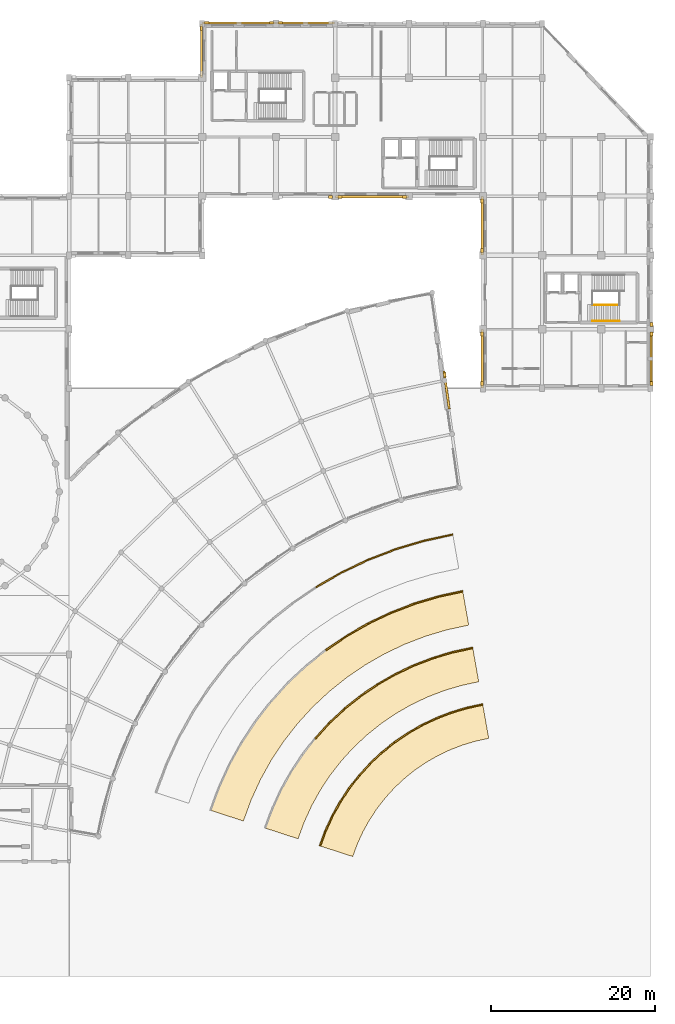
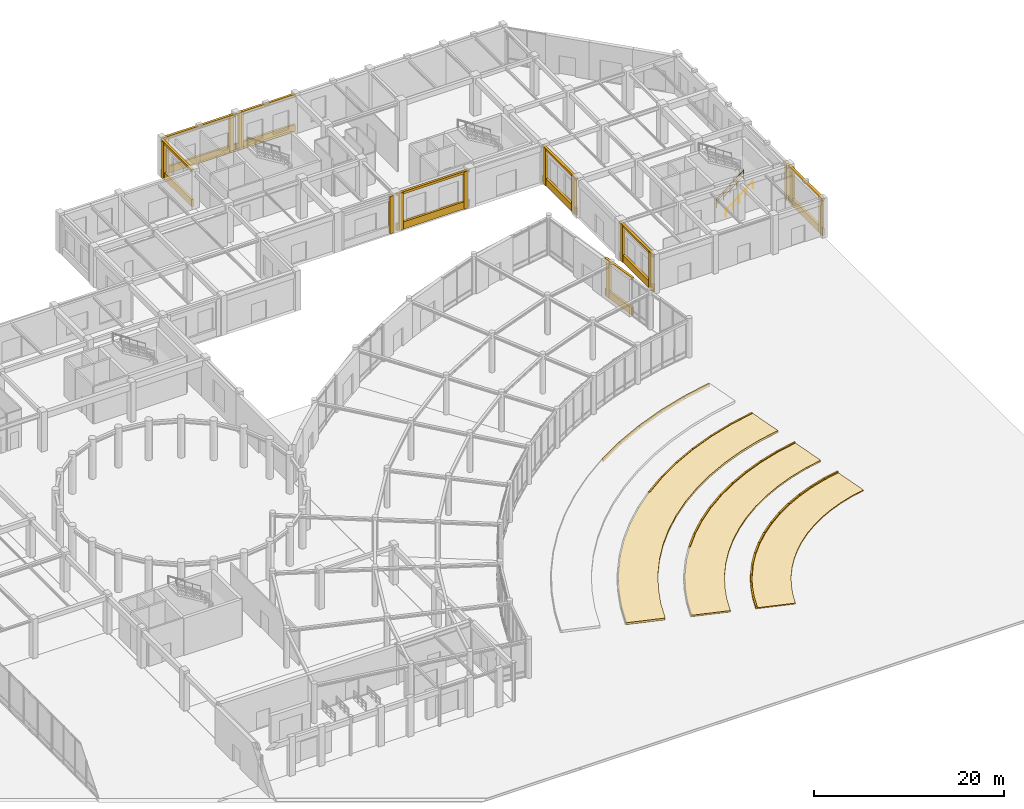
# One storey, part 63 of 64: 68 coverings, 2 railings.
"""IFC4 building model written with IfcOpenShell, lengths in metres."""

from ifc_helpers import new_model, si_unit, direction, frame, frame_2d, origin, origin_2d, place, context, subcontext, project, spatial, polyline, rectangle, circle, outline, extrude, material, layer, layer_set, type_object, element, save


model = new_model("IFC4")

# Units and contexts
model_context = context("Model", 3, precision=1e-05, world=origin(), true_north=direction((0.0, 1.0)))
body_context = subcontext(model_context, "Body", "Model", "MODEL_VIEW")
ifc_project = project(units=[si_unit("LENGTHUNIT", "METRE"), si_unit("AREAUNIT", "SQUARE_METRE"), si_unit("VOLUMEUNIT", "CUBIC_METRE"), si_unit("PLANEANGLEUNIT", "RADIAN"), si_unit("MASSUNIT", "GRAM", prefix="KILO")], contexts=[model_context])

# Site, building, storey
site_placement = place(None, origin())
site = spatial("IfcSite", under=ifc_project, at=site_placement, CompositionType="ELEMENT")
building_placement = place(site_placement, origin())
building = spatial("IfcBuilding", under=site, at=building_placement, Name="Clarverna Civic Hall", CompositionType="ELEMENT")
storey_placement = place(building_placement, origin())
storey = spatial("IfcBuildingStorey", under=building, at=storey_placement, Name="L00", CompositionType="ELEMENT", Elevation=0.0)

# Coverings
ifc_material_1 = material(Name="Thermally Modified Teak Wood Slat Fascia Cladding", Category="wood")
ifc_layer_1 = layer(ifc_material_1, 0.080078125)
ifc_layer_set_1 = layer_set([ifc_layer_1], Name="Thermally Modified Teak Wood Slat Fascia Cladding")
covering_type_1 = type_object("IfcCoveringType", Name="CV-CL1", PredefinedType="CLADDING", material=ifc_layer_set_1)
covering_1_placement = place(storey_placement, frame((143.92529296875, 53.793701171875, 0.02001953125), z_axis=(0.0, 0.0, 1.0), x_axis=(-0.97734469617, -0.211653832631, 0.0)))
element("IfcCovering", 1, at=covering_1_placement, inside=storey, type_object=covering_type_1, Name="CV-CL1-001", PredefinedType="CLADDING", context=body_context, shape_type="SweptSolid", body=[
    extrude(rectangle(XDim=3.593017578125, YDim=0.179931640625, at=frame_2d((1.79638671875, 0.0))), origin(), (0.0, 0.0, 1.0), 0.320068359375),
])
covering_2_placement = place(storey_placement, frame((140.41357421875, 53.033203125, 0.02001953125), z_axis=(0.0, 0.0, 1.0), x_axis=(-0.958117505742, -0.286375357162, 0.0)))
element("IfcCovering", 2, at=covering_2_placement, inside=storey, type_object=covering_type_1, Name="CV-CL1-002", PredefinedType="CLADDING", context=body_context, shape_type="SweptSolid", body=[
    extrude(rectangle(XDim=3.59326171875, YDim=0.179931640625, at=frame_2d((1.796630859375, 0.0))), origin(), (0.0, 0.0, 1.0), 0.320068359375),
])
covering_3_placement = place(storey_placement, frame((136.970703125, 52.004150390625, 0.02001953125), z_axis=(0.0, 0.0, 1.0), x_axis=(-0.933138803603, -0.359516304512, 0.0)))
element("IfcCovering", 3, at=covering_3_placement, inside=storey, type_object=covering_type_1, Name="CV-CL1-003", PredefinedType="CLADDING", context=body_context, shape_type="SweptSolid", body=[
    extrude(rectangle(XDim=3.593017578125, YDim=0.179931640625, at=frame_2d((1.79638671875, 0.0))), origin(), (0.0, 0.0, 1.0), 0.320068359375),
])
covering_4_placement = place(storey_placement, frame((133.617919921875, 50.71240234375, 0.02001953125), z_axis=(0.0, 0.0, 1.0), x_axis=(-0.902575251053, -0.430532131421, 0.0)))
element("IfcCovering", 4, at=covering_4_placement, inside=storey, type_object=covering_type_1, Name="CV-CL1-004", PredefinedType="CLADDING", context=body_context, shape_type="SweptSolid", body=[
    extrude(rectangle(XDim=3.593505859375, YDim=0.179931640625, at=frame_2d((1.796875, 0.0))), origin(), (0.0, 0.0, 1.0), 0.320068359375),
])
covering_5_placement = place(storey_placement, frame((130.37451171875, 49.165283203125, 0.02001953125), z_axis=(0.0, 0.0, 1.0), x_axis=(-0.866674982798, -0.498873204524, 0.0)))
element("IfcCovering", 5, at=covering_5_placement, inside=storey, type_object=covering_type_1, Name="CV-CL1-005", PredefinedType="CLADDING", context=body_context, shape_type="SweptSolid", body=[
    extrude(rectangle(XDim=3.593017578125, YDim=0.179931640625, at=frame_2d((1.79638671875, 0.0))), origin(), (0.0, 0.0, 1.0), 0.320068359375),
])
covering_6_placement = place(storey_placement, frame((145.140869140625, 46.89990234375, 0.02001953125), z_axis=(0.0, 0.0, 1.0), x_axis=(-0.977363678099, -0.211566161598, 0.0)))
element("IfcCovering", 6, at=covering_6_placement, inside=storey, type_object=covering_type_1, Name="CV-CL1-015", PredefinedType="CLADDING", context=body_context, shape_type="SweptSolid", body=[
    extrude(rectangle(XDim=3.05224609375, YDim=0.179931640625, at=frame_2d((1.526123046875, 0.0))), origin(), (0.0, 0.0, 1.0), 0.320068359375),
])
covering_7_placement = place(storey_placement, frame((142.15771484375, 46.254150390625, 0.02001953125), z_axis=(0.0, 0.0, 1.0), x_axis=(-0.958105402291, -0.286415848201, 0.0)))
element("IfcCovering", 7, at=covering_7_placement, inside=storey, type_object=covering_type_1, Name="CV-CL1-016", PredefinedType="CLADDING", context=body_context, shape_type="SweptSolid", body=[
    extrude(rectangle(XDim=3.052490234375, YDim=0.179931640625, at=frame_2d((1.5263671875, 0.0))), origin(), (0.0, 0.0, 1.0), 0.320068359375),
])
covering_8_placement = place(storey_placement, frame((139.233154296875, 45.3798828125, 0.02001953125), z_axis=(0.0, 0.0, 1.0), x_axis=(-0.933128976712, -0.359541809559, 0.0)))
element("IfcCovering", 8, at=covering_8_placement, inside=storey, type_object=covering_type_1, Name="CV-CL1-017", PredefinedType="CLADDING", context=body_context, shape_type="SweptSolid", body=[
    extrude(rectangle(XDim=3.05224609375, YDim=0.179931640625, at=frame_2d((1.526123046875, 0.0))), origin(), (0.0, 0.0, 1.0), 0.320068359375),
])
covering_9_placement = place(storey_placement, frame((136.385009765625, 44.282470703125, 0.02001953125), z_axis=(0.0, 0.0, 1.0), x_axis=(-0.902606071729, -0.430467512454, 0.0)))
element("IfcCovering", 9, at=covering_9_placement, inside=storey, type_object=covering_type_1, Name="CV-CL1-018", PredefinedType="CLADDING", context=body_context, shape_type="SweptSolid", body=[
    extrude(rectangle(XDim=3.052490234375, YDim=0.179931640625, at=frame_2d((1.5263671875, 0.0))), origin(), (0.0, 0.0, 1.0), 0.320068359375),
])
for number, where, z_axis, x_axis, name in (
    (10, (133.6298828125, 42.968505859375, 0.02001953125), (0.0, 0.0, 1.0), (-0.866633985469, -0.498944420983, 0.0), "CV-CL1-019"),
    (11, (130.984619140625, 41.445556640625, 0.02001953125), (0.0, 0.0, 1.0), (-0.825521047687, -0.564371331506, 0.0), "CV-CL1-020"),
):
    element("IfcCovering", number, at=place(storey_placement, frame(where, z_axis=z_axis, x_axis=x_axis)), inside=storey, type_object=covering_type_1, Name=name, PredefinedType="CLADDING", context=body_context, shape_type="SweptSolid", body=[
        extrude(rectangle(XDim=3.05224609375, YDim=0.179931640625, at=frame_2d((1.526123046875, 0.0))), origin(), (0.0, 0.0, 1.0), 0.320068359375),
    ])
for number, where, z_axis, x_axis, name in (
    (12, (146.3564453125, 40.00634765625, 0.02001953125), (0.0, 0.0, 1.0), (-0.977350626083, -0.211626448477, 0.0), "CV-CL1-029"),
    (13, (143.90185546875, 39.474853515625, 0.02001953125), (0.0, 0.0, 1.0), (-0.95811475934, -0.286384545558, 0.0), "CV-CL1-030"),
    (14, (141.49560546875, 38.755615234375, 0.02001953125), (0.0, 0.0, 1.0), (-0.933147530652, -0.359493652292, 0.0), "CV-CL1-031"),
):
    element("IfcCovering", number, at=place(storey_placement, frame(where, z_axis=z_axis, x_axis=x_axis)), inside=storey, type_object=covering_type_1, Name=name, PredefinedType="CLADDING", context=body_context, shape_type="SweptSolid", body=[
        extrude(rectangle(XDim=2.511474609375, YDim=0.179931640625, at=frame_2d((1.255859375, 0.0))), origin(), (0.0, 0.0, 1.0), 0.320068359375),
    ])
covering_10_placement = place(storey_placement, frame((139.152099609375, 37.852783203125, 0.02001953125), z_axis=(0.0, 0.0, 1.0), x_axis=(-0.902556604797, -0.430571219587, 0.0)))
element("IfcCovering", 15, at=covering_10_placement, inside=storey, type_object=covering_type_1, Name="CV-CL1-032", PredefinedType="CLADDING", context=body_context, shape_type="SweptSolid", body=[
    extrude(rectangle(XDim=2.51123046875, YDim=0.179931640625, at=frame_2d((1.255615234375, 0.0))), origin(), (0.0, 0.0, 1.0), 0.320068359375),
])
for number, where, z_axis, x_axis, name in (
    (16, (136.885498046875, 36.771484375, 0.02001953125), (0.0, 0.0, 1.0), (-0.866659395674, -0.498900282512, 0.0), "CV-CL1-033"),
    (17, (134.708984375, 35.5185546875, 0.02001953125), (0.0, 0.0, 1.0), (-0.825548022081, -0.564331873314, 0.0), "CV-CL1-034"),
    (18, (132.6357421875, 34.101318359375, 0.02001953125), (0.0, 0.0, 1.0), (-0.779501306611, -0.626400601047, 0.0), "CV-CL1-035"),
):
    element("IfcCovering", number, at=place(storey_placement, frame(where, z_axis=z_axis, x_axis=x_axis)), inside=storey, type_object=covering_type_1, Name=name, PredefinedType="CLADDING", context=body_context, shape_type="SweptSolid", body=[
        extrude(rectangle(XDim=2.511474609375, YDim=0.179931640625, at=frame_2d((1.255859375, 0.0))), origin(), (0.0, 0.0, 1.0), 0.320068359375),
    ])
covering_11_placement = place(storey_placement, frame((130.677978515625, 32.528076171875, 0.02001953125), z_axis=(0.0, 0.0, 1.0), x_axis=(-0.728736334326, -0.684794388873, 0.0)))
element("IfcCovering", 19, at=covering_11_placement, inside=storey, type_object=covering_type_1, Name="CV-CL1-036", PredefinedType="CLADDING", context=body_context, shape_type="SweptSolid", body=[
    extrude(rectangle(XDim=2.51123046875, YDim=0.179931640625, at=frame_2d((1.255615234375, 0.0))), origin(), (0.0, 0.0, 1.0), 0.320068359375),
])
covering_12_placement = place(storey_placement, frame((128.847900390625, 30.808349609375, 0.02001953125), z_axis=(0.0, 0.0, 1.0), x_axis=(-0.673789766808, -0.738923101645, 0.0)))
element("IfcCovering", 20, at=covering_12_placement, inside=storey, type_object=covering_type_1, Name="CV-CL1-037", PredefinedType="CLADDING", context=body_context, shape_type="SweptSolid", body=[
    extrude(rectangle(XDim=2.511474609375, YDim=0.179931640625, at=frame_2d((1.255859375, 0.0))), origin(), (0.0, 0.0, 1.0), 0.320068359375),
])
covering_13_placement = place(storey_placement, frame((147.572021484375, 33.112548828125, 0.02001953125), z_axis=(0.0, 0.0, 1.0), x_axis=(-0.977381646354, -0.211483137321, 0.0)))
element("IfcCovering", 21, at=covering_13_placement, inside=storey, type_object=covering_type_1, Name="CV-CL1-043", PredefinedType="CLADDING", context=body_context, shape_type="SweptSolid", body=[
    extrude(rectangle(XDim=1.970703125, YDim=0.179931640625, at=frame_2d((0.9853515625, 0.0))), origin(), (0.0, 0.0, 1.0), 0.320068359375),
])
covering_14_placement = place(storey_placement, frame((145.64599609375, 32.69580078125, 0.02001953125), z_axis=(0.0, 0.0, 1.0), x_axis=(-0.958085086962, -0.286483797343, 0.0)))
element("IfcCovering", 22, at=covering_14_placement, inside=storey, type_object=covering_type_1, Name="CV-CL1-044", PredefinedType="CLADDING", context=body_context, shape_type="SweptSolid", body=[
    extrude(rectangle(XDim=1.97021484375, YDim=0.179931640625, at=frame_2d((0.985107421875, 0.0))), origin(), (0.0, 0.0, 1.0), 0.320068359375),
])
covering_15_placement = place(storey_placement, frame((143.75830078125, 32.13134765625, 0.02001953125), z_axis=(0.0, 0.0, 1.0), x_axis=(-0.93313470573, -0.359526940524, 0.0)))
element("IfcCovering", 23, at=covering_15_placement, inside=storey, type_object=covering_type_1, Name="CV-CL1-045", PredefinedType="CLADDING", context=body_context, shape_type="SweptSolid", body=[
    extrude(rectangle(XDim=1.970703125, YDim=0.179931640625, at=frame_2d((0.9853515625, 0.0))), origin(), (0.0, 0.0, 1.0), 0.320068359375),
])
for number, where, z_axis, x_axis, name in (
    (24, (141.91943359375, 31.4228515625, 0.02001953125), (0.0, 0.0, 1.0), (-0.902622196303, -0.430433700749, 0.0), "CV-CL1-046"),
    (25, (140.140869140625, 30.57470703125, 0.02001953125), (0.0, 0.0, 1.0), (-0.86664518429, -0.498924968854, 0.0), "CV-CL1-047"),
    (26, (138.43310546875, 29.591552734375, 0.02001953125), (0.0, 0.0, 1.0), (-0.82553208228, -0.564355190573, 0.0), "CV-CL1-048"),
    (27, (136.806396484375, 28.4794921875, 0.02001953125), (0.0, 0.0, 1.0), (-0.779464639421, -0.626446227454, 0.0), "CV-CL1-049"),
    (28, (135.2705078125, 27.2451171875, 0.02001953125), (0.0, 0.0, 1.0), (-0.728756261629, -0.684773182255, 0.0), "CV-CL1-050"),
    (29, (133.83447265625, 25.895751953125, 0.02001953125), (0.0, 0.0, 1.0), (-0.673769776697, -0.738941329206, 0.0), "CV-CL1-051"),
    (30, (132.5068359375, 24.439697265625, 0.02001953125), (0.0, 0.0, 1.0), (-0.614686621089, -0.788771423071, 0.0), "CV-CL1-052"),
):
    element("IfcCovering", number, at=place(storey_placement, frame(where, z_axis=z_axis, x_axis=x_axis)), inside=storey, type_object=covering_type_1, Name=name, PredefinedType="CLADDING", context=body_context, shape_type="SweptSolid", body=[
        extrude(rectangle(XDim=1.970458984375, YDim=0.179931640625, at=frame_2d((0.9853515625, 0.0))), origin(), (0.0, 0.0, 1.0), 0.320068359375),
    ])
covering_16_placement = place(storey_placement, frame((131.295654296875, 22.885498046875, 0.02001953125), z_axis=(0.0, 0.0, 1.0), x_axis=(-0.551923915539, -0.833894472614, 0.0)))
element("IfcCovering", 31, at=covering_16_placement, inside=storey, type_object=covering_type_1, Name="CV-CL1-053", PredefinedType="CLADDING", context=body_context, shape_type="SweptSolid", body=[
    extrude(rectangle(XDim=1.970703125, YDim=0.179931640625, at=frame_2d((0.9853515625, 0.0))), origin(), (0.0, 0.0, 1.0), 0.320068359375),
])
for number, where, z_axis, x_axis, name in (
    (32, (130.2080078125, 21.2421875, 0.02001953125), (0.0, 0.0, 1.0), (-0.485937459331, -0.873993584427, 0.0), "CV-CL1-054"),
    (33, (129.25048828125, 19.52001953125, 0.02001953125), (0.0, 0.0, 1.0), (-0.416927736654, -0.908939636284, 0.0), "CV-CL1-055"),
    (34, (128.428955078125, 17.72900390625, 0.02001953125), (0.0, 0.0, 1.0), (-0.345550331049, -0.938400217771, 0.0), "CV-CL1-056"),
):
    element("IfcCovering", number, at=place(storey_placement, frame(where, z_axis=z_axis, x_axis=x_axis)), inside=storey, type_object=covering_type_1, Name=name, PredefinedType="CLADDING", context=body_context, shape_type="SweptSolid", body=[
        extrude(rectangle(XDim=1.970458984375, YDim=0.179931640625, at=frame_2d((0.9853515625, 0.0))), origin(), (0.0, 0.0, 1.0), 0.320068359375),
    ])
ifc_material_2 = material(Name="Montjuic Buff Limestone Ashlar Cladding", Category="masonry")
ifc_layer_2 = layer(ifc_material_2, 0.070068359375)
ifc_layer_set_2 = layer_set([ifc_layer_2], Name="Montjuic Buff Limestone Ashlar Cladding")
covering_type_2 = type_object("IfcCoveringType", Name="CV-CL2", PredefinedType="CLADDING", material=ifc_layer_set_2)
covering_17_placement = place(storey_placement, frame((113.320068359375, 109.4599609375, 4.5), z_axis=(0.0, 0.0, 1.0), x_axis=(0.0, 1.0, 0.0)))
element("IfcCovering", 35, at=covering_17_placement, inside=storey, type_object=covering_type_2, Name="CV-CL2-069", PredefinedType="CLADDING", context=body_context, shape_type="SweptSolid", body=[
    extrude(rectangle(XDim=6.47998046875, YDim=0.280029296875, at=frame_2d((3.239990234375, 0.0))), origin(), (0.0, 0.0, 1.0), 0.300048828125),
])
covering_18_placement = place(storey_placement, frame((113.320068359375, 109.4599609375, 0.0), z_axis=(0.0, 0.0, 1.0), x_axis=(0.0, 1.0, 0.0)))
element("IfcCovering", 36, at=covering_18_placement, inside=storey, type_object=covering_type_2, Name="CV-CL2-070", PredefinedType="CLADDING", context=body_context, shape_type="SweptSolid", body=[
    extrude(rectangle(XDim=6.47998046875, YDim=0.260009765625, at=frame_2d((3.239990234375, 0.0))), origin(), (0.0, 0.0, 1.0), 0.919921875),
])
covering_19_placement = place(storey_placement, frame((113.2900390625, 115.179931640625, 0.0), z_axis=(0.0, 0.0, 1.0), x_axis=(0.0, 1.0, 0.0)))
element("IfcCovering", 37, at=covering_19_placement, inside=storey, type_object=covering_type_2, Name="CV-CL2-072", PredefinedType="CLADDING", context=body_context, shape_type="SweptSolid", body=[
    extrude(rectangle(XDim=0.5, YDim=0.340087890625, at=frame_2d((0.25, 0.0))), origin(), (0.0, 0.0, 1.0), 4.780029296875),
])
covering_20_placement = place(storey_placement, frame((113.4599609375, 116.080078125, 4.5), z_axis=(0.0, 0.0, 1.0), x_axis=(1.0, 0.0, 0.0)))
element("IfcCovering", 38, at=covering_20_placement, inside=storey, type_object=covering_type_2, Name="CV-CL2-073", PredefinedType="CLADDING", context=body_context, shape_type="SweptSolid", body=[
    extrude(rectangle(XDim=8.880126953125, YDim=0.280029296875, at=frame_2d((4.43994140625, 0.0))), origin(), (0.0, 0.0, 1.0), 0.300048828125),
])
covering_21_placement = place(storey_placement, frame((113.4599609375, 116.080078125, 0.0), z_axis=(0.0, 0.0, 1.0), x_axis=(1.0, 0.0, 0.0)))
element("IfcCovering", 39, at=covering_21_placement, inside=storey, type_object=covering_type_2, Name="CV-CL2-074", PredefinedType="CLADDING", context=body_context, shape_type="SweptSolid", body=[
    extrude(rectangle(XDim=8.880126953125, YDim=0.260009765625, at=frame_2d((4.43994140625, 0.0))), origin(), (0.0, 0.0, 1.0), 0.919921875),
])
for number, where, z_axis, x_axis, name in (
    (40, (113.719970703125, 116.110107421875, 0.0), (0.0, 0.0, 1.0), (1.0, 0.0, 0.0), "CV-CL2-075"),
    (41, (121.580078125, 116.110107421875, 0.0), (0.0, 0.0, 1.0), (1.0, 0.0, 0.0), "CV-CL2-076"),
):
    element("IfcCovering", number, at=place(storey_placement, frame(where, z_axis=z_axis, x_axis=x_axis)), inside=storey, type_object=covering_type_2, Name=name, PredefinedType="CLADDING", context=body_context, shape_type="SweptSolid", body=[
        extrude(rectangle(XDim=0.5, YDim=0.340087890625, at=frame_2d((0.25, 0.0))), origin(), (0.0, 0.0, 1.0), 4.780029296875),
    ])
covering_22_placement = place(storey_placement, frame((122.4599609375, 116.080078125, 4.5), z_axis=(0.0, 0.0, 1.0), x_axis=(1.0, 0.0, 0.0)))
element("IfcCovering", 42, at=covering_22_placement, inside=storey, type_object=covering_type_2, Name="CV-CL2-077", PredefinedType="CLADDING", context=body_context, shape_type="SweptSolid", body=[
    extrude(rectangle(XDim=7.080078125, YDim=0.280029296875, at=frame_2d((3.5400390625, 0.0))), origin(), (0.0, 0.0, 1.0), 0.300048828125),
])
covering_23_placement = place(storey_placement, frame((122.4599609375, 116.080078125, 0.0), z_axis=(0.0, 0.0, 1.0), x_axis=(1.0, 0.0, 0.0)))
element("IfcCovering", 43, at=covering_23_placement, inside=storey, type_object=covering_type_2, Name="CV-CL2-078", PredefinedType="CLADDING", context=body_context, shape_type="SweptSolid", body=[
    extrude(rectangle(XDim=7.080078125, YDim=0.260009765625, at=frame_2d((3.5400390625, 0.0))), origin(), (0.0, 0.0, 1.0), 0.919921875),
])
for number, where, z_axis, x_axis, name in (
    (44, (122.719970703125, 116.110107421875, 0.0), (0.0, 0.0, 1.0), (1.0, 0.0, 0.0), "CV-CL2-079"),
    (45, (168.110107421875, 79.6201171875, 0.0), (0.0, 0.0, 1.0), (0.0, -1.0, 0.0), "CV-CL2-104"),
):
    element("IfcCovering", number, at=place(storey_placement, frame(where, z_axis=z_axis, x_axis=x_axis)), inside=storey, type_object=covering_type_2, Name=name, PredefinedType="CLADDING", context=body_context, shape_type="SweptSolid", body=[
        extrude(rectangle(XDim=0.5, YDim=0.340087890625, at=frame_2d((0.25, 0.0))), origin(), (0.0, 0.0, 1.0), 4.780029296875),
    ])
covering_24_placement = place(storey_placement, frame((168.080078125, 78.739990234375, 4.5), z_axis=(0.0, 0.0, 1.0), x_axis=(0.0, -1.0, 0.0)))
element("IfcCovering", 46, at=covering_24_placement, inside=storey, type_object=covering_type_2, Name="CV-CL2-105", PredefinedType="CLADDING", context=body_context, shape_type="SweptSolid", body=[
    extrude(rectangle(XDim=7.080078125, YDim=0.280029296875, at=frame_2d((3.5400390625, 0.0))), origin(), (0.0, 0.0, 1.0), 0.300048828125),
])
covering_25_placement = place(storey_placement, frame((168.080078125, 78.739990234375, 0.0), z_axis=(0.0, 0.0, 1.0), x_axis=(0.0, -1.0, 0.0)))
element("IfcCovering", 47, at=covering_25_placement, inside=storey, type_object=covering_type_2, Name="CV-CL2-106", PredefinedType="CLADDING", context=body_context, shape_type="SweptSolid", body=[
    extrude(rectangle(XDim=7.080078125, YDim=0.260009765625, at=frame_2d((3.5400390625, 0.0))), origin(), (0.0, 0.0, 1.0), 0.919921875),
])
for number, where, z_axis, x_axis, name in (
    (48, (168.110107421875, 78.47998046875, 0.0), (0.0, 0.0, 1.0), (0.0, -1.0, 0.0), "CV-CL2-107"),
    (49, (168.110107421875, 72.419921875, 0.0), (0.0, 0.0, 1.0), (0.0, -1.0, 0.0), "CV-CL2-108"),
):
    element("IfcCovering", number, at=place(storey_placement, frame(where, z_axis=z_axis, x_axis=x_axis)), inside=storey, type_object=covering_type_2, Name=name, PredefinedType="CLADDING", context=body_context, shape_type="SweptSolid", body=[
        extrude(rectangle(XDim=0.5, YDim=0.340087890625, at=frame_2d((0.25, 0.0))), origin(), (0.0, 0.0, 1.0), 4.780029296875),
    ])
covering_26_placement = place(storey_placement, frame((147.52001953125, 71.659912109375, 4.5), z_axis=(0.0, 0.0, 1.0), x_axis=(0.0, 1.0, 0.0)))
element("IfcCovering", 50, at=covering_26_placement, inside=storey, type_object=covering_type_2, Name="CV-CL2-109", PredefinedType="CLADDING", context=body_context, shape_type="SweptSolid", body=[
    extrude(rectangle(XDim=7.080078125, YDim=0.280029296875, at=frame_2d((3.5400390625, 0.0))), origin(), (0.0, 0.0, 1.0), 0.300048828125),
])
covering_27_placement = place(storey_placement, frame((147.52001953125, 71.659912109375, 0.0), z_axis=(0.0, 0.0, 1.0), x_axis=(0.0, 1.0, 0.0)))
element("IfcCovering", 51, at=covering_27_placement, inside=storey, type_object=covering_type_2, Name="CV-CL2-110", PredefinedType="CLADDING", context=body_context, shape_type="SweptSolid", body=[
    extrude(rectangle(XDim=7.080078125, YDim=0.260009765625, at=frame_2d((3.5400390625, 0.0))), origin(), (0.0, 0.0, 1.0), 0.919921875),
])
for number, where, z_axis, x_axis, name in (
    (52, (147.489990234375, 71.919921875, 0.0), (0.0, 0.0, 1.0), (0.0, 1.0, 0.0), "CV-CL2-111"),
    (53, (147.489990234375, 77.97998046875, 0.0), (0.0, 0.0, 1.0), (0.0, 1.0, 0.0), "CV-CL2-112"),
):
    element("IfcCovering", number, at=place(storey_placement, frame(where, z_axis=z_axis, x_axis=x_axis)), inside=storey, type_object=covering_type_2, Name=name, PredefinedType="CLADDING", context=body_context, shape_type="SweptSolid", body=[
        extrude(rectangle(XDim=0.5, YDim=0.340087890625, at=frame_2d((0.25, 0.0))), origin(), (0.0, 0.0, 1.0), 4.780029296875),
    ])
covering_28_placement = place(storey_placement, frame((147.52001953125, 87.860107421875, 4.5), z_axis=(0.0, 0.0, 1.0), x_axis=(0.0, 1.0, 0.0)))
element("IfcCovering", 54, at=covering_28_placement, inside=storey, type_object=covering_type_2, Name="CV-CL2-113", PredefinedType="CLADDING", context=body_context, shape_type="SweptSolid", body=[
    extrude(rectangle(XDim=7.079833984375, YDim=0.280029296875, at=frame_2d((3.5400390625, 0.0))), origin(), (0.0, 0.0, 1.0), 0.300048828125),
])
covering_29_placement = place(storey_placement, frame((147.52001953125, 87.860107421875, 0.0), z_axis=(0.0, 0.0, 1.0), x_axis=(0.0, 1.0, 0.0)))
element("IfcCovering", 55, at=covering_29_placement, inside=storey, type_object=covering_type_2, Name="CV-CL2-114", PredefinedType="CLADDING", context=body_context, shape_type="SweptSolid", body=[
    extrude(rectangle(XDim=7.079833984375, YDim=0.260009765625, at=frame_2d((3.5400390625, 0.0))), origin(), (0.0, 0.0, 1.0), 0.919921875),
])
for number, where, z_axis, x_axis, name in (
    (56, (147.489990234375, 88.1201171875, 0.0), (0.0, 0.0, 1.0), (0.0, 1.0, 0.0), "CV-CL2-115"),
    (57, (147.489990234375, 94.179931640625, 0.0), (0.0, 0.0, 1.0), (0.0, 1.0, 0.0), "CV-CL2-116"),
):
    element("IfcCovering", number, at=place(storey_placement, frame(where, z_axis=z_axis, x_axis=x_axis)), inside=storey, type_object=covering_type_2, Name=name, PredefinedType="CLADDING", context=body_context, shape_type="SweptSolid", body=[
        extrude(rectangle(XDim=0.5, YDim=0.340087890625, at=frame_2d((0.25, 0.0))), origin(), (0.0, 0.0, 1.0), 4.780029296875),
    ])
covering_30_placement = place(storey_placement, frame((138.5400390625, 94.919921875, 4.5), z_axis=(0.0, 0.0, 1.0), x_axis=(-1.0, 0.0, 0.0)))
element("IfcCovering", 58, at=covering_30_placement, inside=storey, type_object=covering_type_2, Name="CV-CL2-117", PredefinedType="CLADDING", context=body_context, shape_type="SweptSolid", body=[
    extrude(rectangle(XDim=8.880126953125, YDim=0.280029296875, at=frame_2d((4.43994140625, 0.0))), origin(), (0.0, 0.0, 1.0), 0.300048828125),
])
covering_31_placement = place(storey_placement, frame((138.5400390625, 94.919921875, 0.0), z_axis=(0.0, 0.0, 1.0), x_axis=(-1.0, 0.0, 0.0)))
element("IfcCovering", 59, at=covering_31_placement, inside=storey, type_object=covering_type_2, Name="CV-CL2-118", PredefinedType="CLADDING", context=body_context, shape_type="SweptSolid", body=[
    extrude(rectangle(XDim=8.880126953125, YDim=0.260009765625, at=frame_2d((4.43994140625, 0.0))), origin(), (0.0, 0.0, 1.0), 0.919921875),
])
for number, where, z_axis, x_axis, name in (
    (60, (138.280029296875, 94.889892578125, 0.0), (0.0, 0.0, 1.0), (-1.0, 0.0, 0.0), "CV-CL2-119"),
    (61, (130.419921875, 94.889892578125, 0.0), (0.0, 0.0, 1.0), (-1.0, 0.0, 0.0), "CV-CL2-120"),
    (62, (129.280029296875, 94.889892578125, 0.0), (0.0, 0.0, 1.0), (-1.0, 0.0, 0.0), "CV-CL2-123"),
):
    element("IfcCovering", number, at=place(storey_placement, frame(where, z_axis=z_axis, x_axis=x_axis)), inside=storey, type_object=covering_type_2, Name=name, PredefinedType="CLADDING", context=body_context, shape_type="SweptSolid", body=[
        extrude(rectangle(XDim=0.5, YDim=0.340087890625, at=frame_2d((0.25, 0.0))), origin(), (0.0, 0.0, 1.0), 4.780029296875),
    ])
covering_32_placement = place(storey_placement, frame((142.846435546875, 73.70556640625, 4.5), z_axis=(0.0, 0.0, 1.0), x_axis=(0.139178898669, -0.990267253909, 0.0)))
element("IfcCovering", 63, at=covering_32_placement, inside=storey, type_object=covering_type_2, Name="CV-CL2-137", PredefinedType="CLADDING", context=body_context, shape_type="SweptSolid", body=[
    extrude(rectangle(XDim=4.68017578125, YDim=0.280029296875, at=frame_2d((2.340087890625, 0.0))), origin(), (0.0, 0.0, 1.0), 0.300048828125),
])
covering_33_placement = place(storey_placement, frame((142.846435546875, 73.70556640625, 0.0), z_axis=(0.0, 0.0, 1.0), x_axis=(0.139178898669, -0.990267253909, 0.0)))
element("IfcCovering", 64, at=covering_33_placement, inside=storey, type_object=covering_type_2, Name="CV-CL2-138", PredefinedType="CLADDING", context=body_context, shape_type="SweptSolid", body=[
    extrude(rectangle(XDim=4.68017578125, YDim=0.260009765625, at=frame_2d((2.340087890625, 0.0))), origin(), (0.0, 0.0, 1.0), 0.919921875),
])
covering_34_placement = place(storey_placement, frame((142.90673828125, 73.49169921875, 0.0), z_axis=(0.0, 0.0, 1.0), x_axis=(0.139165050317, -0.990269200152, 0.0)))
element("IfcCovering", 65, at=covering_34_placement, inside=storey, type_object=covering_type_2, Name="CV-CL2-139", PredefinedType="CLADDING", context=body_context, shape_type="SweptSolid", body=[
    extrude(rectangle(XDim=0.5, YDim=0.340087890625, at=frame_2d((0.25, 0.0))), origin(), (0.0, 0.0, 1.0), 4.780029296875),
])
ifc_material_3 = material(Name="Planted Civic Terrace Vegetated Substrate and Drainage Build-Up")
ifc_layer_3 = layer(ifc_material_3, 0.25)
ifc_layer_set_3 = layer_set([ifc_layer_3], Name="Planted Civic Terrace Vegetated Substrate and Drainage Build-Up")
covering_type_3 = type_object("IfcCoveringType", Name="CV-RF1", PredefinedType="ROOFING", material=ifc_layer_set_3)
covering_35_placement = place(storey_placement, frame((0.0, 0.0, 0.0400390625)))
element("IfcCovering", 66, at=covering_35_placement, inside=storey, type_object=covering_type_3, Name="CV-RF1-004", PredefinedType="ROOFING", context=body_context, shape_type="SweptSolid", body=[
    extrude(outline(polyline([(145.8701171875, 42.763671875), (143.2041015625, 42.1865234375), (140.5908203125, 41.405517578125), (138.04541015625, 40.424560546875), (135.583251953125, 39.250244140625), (133.21923828125, 37.889404296875), (130.96728515625, 36.349853515625), (128.841064453125, 34.64111328125), (126.85302734375, 32.7734375), (125.015380859375, 30.7578125), (123.338623046875, 28.606201171875), (121.8330078125, 26.33154296875), (120.507568359375, 23.947509765625), (119.3701171875, 21.468017578125), (118.427734375, 18.908203125), (114.433349609375, 20.206298828125), (115.48779296875, 23.070556640625), (116.760498046875, 25.8447265625), (118.243896484375, 28.5126953125), (119.928466796875, 31.057861328125), (121.8046875, 33.465576171875), (123.861083984375, 35.720947265625), (126.085693359375, 37.81103515625), (128.46484375, 39.722900390625), (130.984619140625, 41.445556640625), (133.6298828125, 42.968505859375), (136.385009765625, 44.282470703125), (139.233154296875, 45.3798828125), (142.15771484375, 46.254150390625), (145.140869140625, 46.89990234375), (145.8701171875, 42.763671875)])), origin(), (0.0, 0.0, 1.0), 0.260009765625),
])
covering_36_placement = place(storey_placement, frame((0.0, 0.0, 0.0400390625)))
element("IfcCovering", 67, at=covering_36_placement, inside=storey, type_object=covering_type_3, Name="CV-RF1-005", PredefinedType="ROOFING", context=body_context, shape_type="SweptSolid", body=[
    extrude(outline(polyline([(147.085693359375, 35.8701171875), (144.948486328125, 35.407470703125), (142.853271484375, 34.781005859375), (140.8125, 33.994873046875), (138.838623046875, 33.053466796875), (136.943603515625, 31.96240234375), (135.13818359375, 30.72802734375), (133.43359375, 29.3583984375), (131.83984375, 27.86083984375), (130.366455078125, 26.244873046875), (129.022216796875, 24.52001953125), (127.815185546875, 22.6962890625), (126.752685546875, 20.784912109375), (125.8408203125, 18.79736328125), (125.085205078125, 16.7451171875), (121.0908203125, 18.043212890625), (121.95849609375, 20.39990234375), (123.005615234375, 22.682373046875), (124.225830078125, 24.87744140625), (125.612060546875, 26.9716796875), (127.15576171875, 28.95263671875), (128.847900390625, 30.808349609375), (130.677978515625, 32.528076171875), (132.6357421875, 34.101318359375), (134.708984375, 35.5185546875), (136.885498046875, 36.771484375), (139.152099609375, 37.852783203125), (141.49560546875, 38.755615234375), (143.90185546875, 39.474853515625), (146.3564453125, 40.00634765625), (147.085693359375, 35.8701171875)])), origin(), (0.0, 0.0, 1.0), 0.199951171875),
])
covering_37_placement = place(storey_placement, frame((0.0, 0.0, 0.0400390625)))
element("IfcCovering", 68, at=covering_37_placement, inside=storey, type_object=covering_type_3, Name="CV-RF1-006", PredefinedType="ROOFING", context=body_context, shape_type="SweptSolid", body=[
    extrude(outline(polyline([(148.30126953125, 28.976318359375), (146.692626953125, 28.628173828125), (145.115478515625, 28.15673828125), (143.579833984375, 27.56494140625), (142.09423828125, 26.8564453125), (140.667724609375, 26.03515625), (139.308837890625, 25.106201171875), (138.02587890625, 24.0751953125), (136.826416015625, 22.9482421875), (135.71728515625, 21.73193359375), (134.705810546875, 20.43359375), (133.79736328125, 19.061279296875), (132.99755859375, 17.62255859375), (132.311279296875, 16.126708984375), (131.742431640625, 14.58203125), (127.748046875, 15.8798828125), (128.428955078125, 17.72900390625), (129.25048828125, 19.52001953125), (130.2080078125, 21.2421875), (131.295654296875, 22.885498046875), (132.5068359375, 24.439697265625), (133.83447265625, 25.895751953125), (135.2705078125, 27.2451171875), (136.806396484375, 28.4794921875), (138.43310546875, 29.591552734375), (140.140869140625, 30.57470703125), (141.91943359375, 31.4228515625), (143.75830078125, 32.13134765625), (145.64599609375, 32.69580078125), (147.572021484375, 33.112548828125), (148.30126953125, 28.976318359375)])), origin(), (0.0, 0.0, 1.0), 0.139892578125),
])

# Railings
ifc_material_4 = material(Name="Anodised Bronze Architectural Balustrade")
railing_type_1 = type_object("IfcRailingType", Name="GR-02", PredefinedType="BALUSTRADE", material=ifc_material_4)
railing_1_placement = place(storey_placement, frame((160.949951171875, 81.760009765625, 0.0)))
element("IfcRailing", 69, at=railing_1_placement, inside=storey, type_object=railing_type_1, Name="GR-02-039", PredefinedType="BALUSTRADE", context=body_context, shape_type="SweptSolid", body=[
    extrude(circle(Radius=0.02392578125, at=origin_2d()), frame((0.0, 0.0, 1.09619140625), z_axis=(0.789942972042, 0.0, 0.613180316809), x_axis=(0.0, 1.0, 0.0)), (0.0, 0.0, 1.0), 4.15869140625),
    extrude(circle(Radius=0.011962890625, at=origin_2d()), frame((0.0, 0.0, 0.39208984375), z_axis=(0.789942972042, 0.0, 0.613180316809), x_axis=(0.0, 1.0, 0.0)), (0.0, 0.0, 1.0), 4.15869140625),
    extrude(circle(Radius=0.011962890625, at=origin_2d()), frame((0.0, 0.0, 0.76171875), z_axis=(0.789942972042, 0.0, 0.613180316809), x_axis=(0.0, 1.0, 0.0)), (0.0, 0.0, 1.0), 4.15869140625),
    extrude(circle(Radius=0.02099609375, at=origin_2d()), origin(), (0.0, 0.0, 1.0), 1.072021484375),
    extrude(circle(Radius=0.02099609375, at=origin_2d()), frame((0.8212890625, 0.0, 0.637451171875)), (0.0, 0.0, 1.0), 1.072021484375),
    extrude(circle(Radius=0.02099609375, at=origin_2d()), frame((1.642578125, 0.0, 1.27490234375)), (0.0, 0.0, 1.0), 1.072021484375),
    extrude(circle(Radius=0.02099609375, at=origin_2d()), frame((2.4638671875, 0.0, 1.91259765625)), (0.0, 0.0, 1.0), 1.072021484375),
    extrude(circle(Radius=0.02099609375, at=origin_2d()), frame((3.28515625, 0.0, 2.550048828125)), (0.0, 0.0, 1.0), 1.072021484375),
])
ifc_material_5 = material(Name="Anodised Bronze Continuous Handrail")
railing_type_2 = type_object("IfcRailingType", Name="HR-01", PredefinedType="HANDRAIL", material=ifc_material_5)
railing_2_placement = place(storey_placement, frame((160.949951171875, 79.780029296875, 0.0)))
element("IfcRailing", 70, at=railing_2_placement, inside=storey, type_object=railing_type_2, Name="HR-01-019", PredefinedType="HANDRAIL", context=body_context, shape_type="SweptSolid", body=[
    extrude(circle(Radius=0.02392578125, at=origin_2d()), frame((0.0, 0.0, 0.89599609375), z_axis=(0.788568541041, 0.0, 0.614946872568), x_axis=(0.0, 1.0, 0.0)), (0.0, 0.0, 1.0), 4.146728515625),
    extrude(circle(Radius=0.02099609375, at=origin_2d()), origin(), (0.0, 0.0, 1.0), 0.871826171875),
    extrude(circle(Radius=0.02099609375, at=origin_2d()), frame((0.8173828125, 0.0, 0.637451171875)), (0.0, 0.0, 1.0), 0.871826171875),
    extrude(circle(Radius=0.02099609375, at=origin_2d()), frame((1.635009765625, 0.0, 1.27490234375)), (0.0, 0.0, 1.0), 0.871826171875),
    extrude(circle(Radius=0.02099609375, at=origin_2d()), frame((2.45263671875, 0.0, 1.91259765625)), (0.0, 0.0, 1.0), 0.871826171875),
    extrude(circle(Radius=0.02099609375, at=origin_2d()), frame((3.27001953125, 0.0, 2.550048828125)), (0.0, 0.0, 1.0), 0.871826171875),
])

save(model, "model.ifc")
